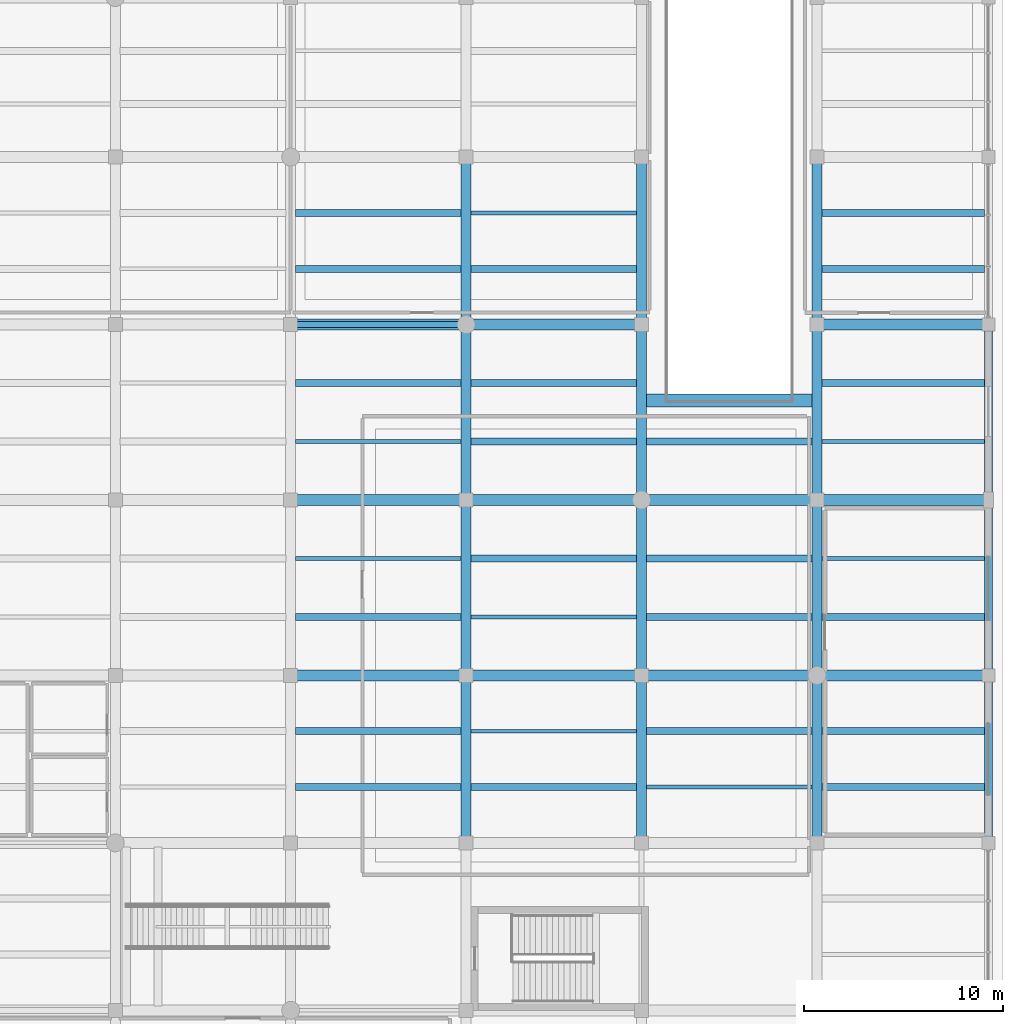
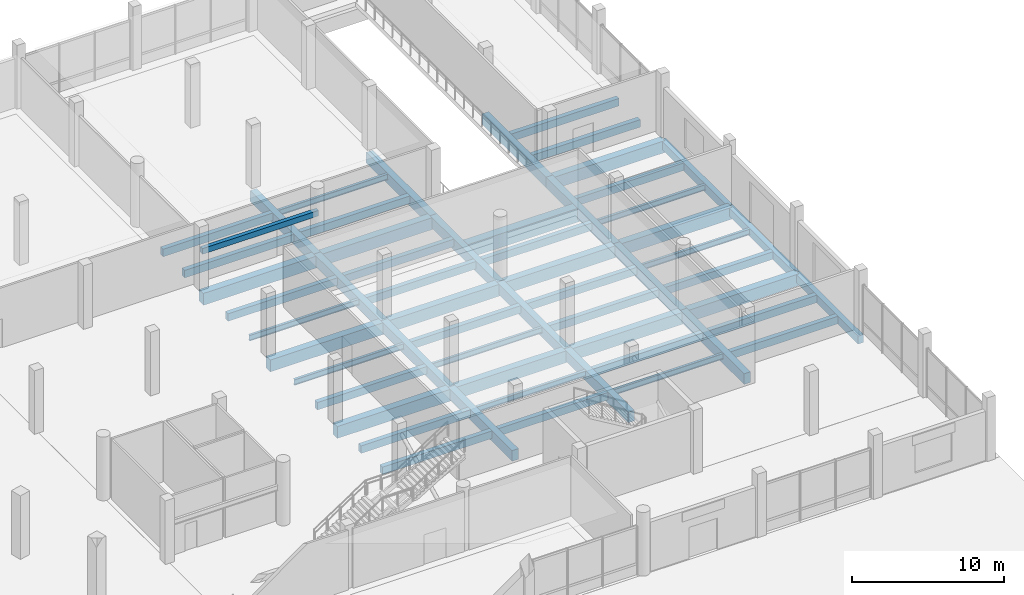
# One storey, part 47 of 73: 57 beams.
"""IFC4 building model written with IfcOpenShell, lengths in metres."""

from ifc_helpers import new_model, si_unit, direction, frame, origin, origin_2d, place, context, subcontext, project, spatial, rectangle, i_section, extrude, material, material_profile, profile_set, type_object, element, save


model = new_model("IFC4")

# Units and contexts
model_context = context("Model", 3, precision=1e-05, world=origin(), true_north=direction((0.0, 1.0)))
body_context = subcontext(model_context, "Body", "Model", "MODEL_VIEW")
ifc_project = project(units=[si_unit("LENGTHUNIT", "METRE"), si_unit("AREAUNIT", "SQUARE_METRE"), si_unit("VOLUMEUNIT", "CUBIC_METRE"), si_unit("PLANEANGLEUNIT", "RADIAN"), si_unit("MASSUNIT", "GRAM", prefix="KILO")], contexts=[model_context])

# Site, building, storey
site_placement = place(None, origin())
site = spatial("IfcSite", under=ifc_project, at=site_placement, CompositionType="ELEMENT")
building_placement = place(site_placement, origin())
building = spatial("IfcBuilding", under=site, at=building_placement, Name="Meriwether Solvik Hall", CompositionType="ELEMENT")
storey_placement = place(building_placement, origin())
storey = spatial("IfcBuildingStorey", under=building, at=storey_placement, Name="L00", CompositionType="ELEMENT", Elevation=0.0)

# Beams
ifc_material_1 = material(Name="Concrete C40/50", Category="concrete")
ifc_material_profile_1 = material_profile(ifc_material_1, rectangle(XDim=0.300048828125, YDim=0.449951171875, at=origin_2d()), Name="RCB-300X450")
ifc_profile_set_1 = profile_set([ifc_material_profile_1], Name="Concrete C40/50")
beam_type_1 = type_object("IfcBeamType", Name="BM-RC-300X450", PredefinedType="LINTEL", material=ifc_profile_set_1)
beam_1_placement = place(storey_placement, frame((131.800048828125, 92.800048828125, 2.925048828125), z_axis=(1.0, 0.0, 0.0), x_axis=(0.0, 1.0, 0.0)))
element("IfcBeam", 1, at=beam_1_placement, inside=storey, type_object=beam_type_1, Name="Galleria Portal Lintel K:15-16 (L00)", PredefinedType="LINTEL", context=body_context, shape_type="SweptSolid", body=[
    extrude(rectangle(XDim=0.300048828125, YDim=0.449951171875, at=origin_2d()), origin(), (0.0, 0.0, 1.0), 8.800048828125),
])
ifc_material_2 = material(Name="Concrete C40/50", Category="concrete")
ifc_material_profile_2 = material_profile(ifc_material_2, rectangle(XDim=0.35009765625, YDim=0.60009765625, at=origin_2d()), Name="RCB-350X600")
ifc_profile_set_2 = profile_set([ifc_material_profile_2], Name="Concrete C40/50")
beam_type_2 = type_object("IfcBeamType", Name="BM-RC-350X600", PredefinedType="JOIST", material=ifc_profile_set_2)
for number, where, z_axis, x_axis, name in (
    (2, (132.044921875, 69.60009765625, -0.659912109375), (1.0, 0.0, 0.0), (0.0, 1.0, 0.0), "Secondary Floor Joist 15/H_J1 (L00)"),
    (3, (132.044921875, 72.39990234375, -0.659912109375), (1.0, 0.0, 0.0), (0.0, 1.0, 0.0), "Secondary Floor Joist 15/H_J2 (L00)"),
    (4, (132.044921875, 78.13330078125, -0.659912109375), (1.0, 0.0, 0.0), (0.0, 1.0, 0.0), "Secondary Floor Joist 15/I_J1 (L00)"),
    (5, (132.044921875, 89.86669921875, -0.659912109375), (1.0, 0.0, 0.0), (0.0, 1.0, 0.0), "Secondary Floor Joist 15/J_J2 (L00)"),
    (6, (132.044921875, 95.60009765625, -0.659912109375), (1.0, 0.0, 0.0), (0.0, 1.0, 0.0), "Secondary Floor Joist 15/K_J1 (L00)"),
    (7, (132.044921875, 98.39990234375, -0.659912109375), (1.0, 0.0, 0.0), (0.0, 1.0, 0.0), "Secondary Floor Joist 15/K_J2 (L00)"),
    (8, (140.844970703125, 69.60009765625, -0.659912109375), (1.0, 0.0, 0.0), (0.0, 1.0, 0.0), "Secondary Floor Joist 16/H_J1 (L00)"),
    (9, (140.844970703125, 81.066650390625, -0.659912109375), (1.0, 0.0, 0.0), (0.0, 1.0, 0.0), "Secondary Floor Joist 16/I_J2 (L00)"),
    (10, (140.844970703125, 86.933349609375, -0.659912109375), (1.0, 0.0, 0.0), (0.0, 1.0, 0.0), "Secondary Floor Joist 16/J_J1 (L00)"),
    (11, (140.844970703125, 89.86669921875, -0.659912109375), (1.0, 0.0, 0.0), (0.0, 1.0, 0.0), "Secondary Floor Joist 16/J_J2 (L00)"),
    (12, (140.844970703125, 95.60009765625, -0.659912109375), (1.0, 0.0, 0.0), (0.0, 1.0, 0.0), "Secondary Floor Joist 16/K_J1 (L00)"),
    (13, (149.64501953125, 72.39990234375, -0.659912109375), (1.0, 0.0, 0.0), (0.0, 1.0, 0.0), "Secondary Floor Joist 17/H_J2 (L00)"),
    (14, (149.64501953125, 78.13330078125, -0.659912109375), (1.0, 0.0, 0.0), (0.0, 1.0, 0.0), "Secondary Floor Joist 17/I_J1 (L00)"),
    (15, (149.64501953125, 81.066650390625, -0.659912109375), (1.0, 0.0, 0.0), (0.0, 1.0, 0.0), "Secondary Floor Joist 17/I_J2 (L00)"),
    (16, (149.64501953125, 86.933349609375, -0.659912109375), (1.0, 0.0, 0.0), (0.0, 1.0, 0.0), "Secondary Floor Joist 17/J_J1 (L00)"),
):
    element("IfcBeam", number, at=place(storey_placement, frame(where, z_axis=z_axis, x_axis=x_axis)), inside=storey, type_object=beam_type_2, Name=name, PredefinedType="JOIST", context=body_context, shape_type="SweptSolid", body=[
        extrude(rectangle(XDim=0.35009765625, YDim=0.60009765625, at=origin_2d()), origin(), (0.0, 0.0, 1.0), 8.31005859375),
    ])
for number, where, z_axis, x_axis, name in (
    (17, (158.445068359375, 69.60009765625, -0.659912109375), (1.0, 0.0, 0.0), (0.0, 1.0, 0.0), "Secondary Floor Joist 18/H_J1 (L00)"),
    (18, (158.445068359375, 72.39990234375, -0.659912109375), (1.0, 0.0, 0.0), (0.0, 1.0, 0.0), "Secondary Floor Joist 18/H_J2 (L00)"),
    (19, (158.445068359375, 78.13330078125, -0.659912109375), (1.0, 0.0, 0.0), (0.0, 1.0, 0.0), "Secondary Floor Joist 18/I_J1 (L00)"),
    (20, (158.445068359375, 89.86669921875, -0.659912109375), (1.0, 0.0, 0.0), (0.0, 1.0, 0.0), "Secondary Floor Joist 18/J_J2 (L00)"),
    (21, (158.445068359375, 95.60009765625, -0.659912109375), (1.0, 0.0, 0.0), (0.0, 1.0, 0.0), "Secondary Floor Joist 18/K_J1 (L00)"),
    (22, (158.445068359375, 98.39990234375, -0.659912109375), (1.0, 0.0, 0.0), (0.0, 1.0, 0.0), "Secondary Floor Joist 18/K_J2 (L00)"),
):
    element("IfcBeam", number, at=place(storey_placement, frame(where, z_axis=z_axis, x_axis=x_axis)), inside=storey, type_object=beam_type_2, Name=name, PredefinedType="JOIST", context=body_context, shape_type="SweptSolid", body=[
        extrude(rectangle(XDim=0.35009765625, YDim=0.60009765625, at=origin_2d()), origin(), (0.0, 0.0, 1.0), 8.159912109375),
    ])
ifc_material_3 = material(Name="Concrete C40/50", Category="concrete")
ifc_material_profile_3 = material_profile(ifc_material_3, rectangle(XDim=0.39990234375, YDim=0.64990234375, at=origin_2d()), Name="RCB-400X650")
ifc_profile_set_3 = profile_set([ifc_material_profile_3], Name="Concrete C40/50")
beam_type_3 = type_object("IfcBeamType", Name="BM-RC-400X650", PredefinedType="SPANDREL", material=ifc_profile_set_3)
beam_2_placement = place(storey_placement, frame((166.800048828125, 66.800048828125, -0.68505859375), z_axis=(0.0, 1.0, 0.0), x_axis=(-1.0, 0.0, 0.0)))
element("IfcBeam", 23, at=beam_2_placement, inside=storey, type_object=beam_type_3, Name="Podium Girder 19:H-I (L00)", PredefinedType="SPANDREL", context=body_context, shape_type="SweptSolid", body=[
    extrude(rectangle(XDim=0.39990234375, YDim=0.64990234375, at=origin_2d()), origin(), (0.0, 0.0, 1.0), 8.39990234375),
])
for number, where, z_axis, x_axis, name in (
    (24, (166.800048828125, 75.199951171875, -0.68505859375), (0.0, 1.0, 0.0), (-1.0, 0.0, 0.0), "Podium Girder 19:I-J (L00)"),
    (25, (166.800048828125, 84.0, -0.68505859375), (0.0, 1.0, 0.0), (-1.0, 0.0, 0.0), "Podium Girder 19:J-K (L00)"),
):
    element("IfcBeam", number, at=place(storey_placement, frame(where, z_axis=z_axis, x_axis=x_axis)), inside=storey, type_object=beam_type_3, Name=name, PredefinedType="SPANDREL", context=body_context, shape_type="SweptSolid", body=[
        extrude(rectangle(XDim=0.39990234375, YDim=0.64990234375, at=origin_2d()), origin(), (0.0, 0.0, 1.0), 8.800048828125),
    ])
ifc_material_4 = material(Name="Concrete C40/50", Category="concrete")
ifc_material_profile_4 = material_profile(ifc_material_4, rectangle(XDim=0.5, YDim=0.85009765625, at=origin_2d()), Name="RCB-500X850")
ifc_profile_set_4 = profile_set([ifc_material_profile_4], Name="Concrete C40/50")
beam_type_4 = type_object("IfcBeamType", Name="BM-RC-500X850", PredefinedType="BEAM", material=ifc_profile_set_4)
beam_3_placement = place(storey_placement, frame((140.60009765625, 66.800048828125, -0.784912109375), z_axis=(0.0, 1.0, 0.0), x_axis=(-1.0, 0.0, 0.0)))
element("IfcBeam", 26, at=beam_3_placement, inside=storey, type_object=beam_type_4, Name="Podium Girder 16:H-I (L00)", PredefinedType="BEAM", context=body_context, shape_type="SweptSolid", body=[
    extrude(rectangle(XDim=0.5, YDim=0.85009765625, at=origin_2d()), origin(), (0.0, 0.0, 1.0), 8.39990234375),
])
for number, where, z_axis, x_axis, name in (
    (27, (140.60009765625, 75.199951171875, -0.784912109375), (0.0, 1.0, 0.0), (-1.0, 0.0, 0.0), "Podium Girder 16:I-J (L00)"),
    (28, (140.60009765625, 84.0, -0.784912109375), (0.0, 1.0, 0.0), (-1.0, 0.0, 0.0), "Podium Girder 16:J-K (L00)"),
):
    element("IfcBeam", number, at=place(storey_placement, frame(where, z_axis=z_axis, x_axis=x_axis)), inside=storey, type_object=beam_type_4, Name=name, PredefinedType="BEAM", context=body_context, shape_type="SweptSolid", body=[
        extrude(rectangle(XDim=0.5, YDim=0.85009765625, at=origin_2d()), origin(), (0.0, 0.0, 1.0), 8.800048828125),
    ])
for number, where, z_axis, x_axis, name in (
    (29, (140.60009765625, 92.800048828125, -0.784912109375), (0.0, 1.0, 0.0), (-1.0, 0.0, 0.0), "Podium Girder 16:K-L (L00)"),
    (30, (149.39990234375, 66.800048828125, -0.784912109375), (0.0, 1.0, 0.0), (-1.0, 0.0, 0.0), "Podium Girder 17:H-I (L00)"),
):
    element("IfcBeam", number, at=place(storey_placement, frame(where, z_axis=z_axis, x_axis=x_axis)), inside=storey, type_object=beam_type_4, Name=name, PredefinedType="BEAM", context=body_context, shape_type="SweptSolid", body=[
        extrude(rectangle(XDim=0.5, YDim=0.85009765625, at=origin_2d()), origin(), (0.0, 0.0, 1.0), 8.39990234375),
    ])
for number, where, z_axis, x_axis, name in (
    (31, (149.39990234375, 75.199951171875, -0.784912109375), (0.0, 1.0, 0.0), (-1.0, 0.0, 0.0), "Podium Girder 17:I-J (L00)"),
    (32, (149.39990234375, 84.0, -0.784912109375), (0.0, 1.0, 0.0), (-1.0, 0.0, 0.0), "Podium Girder 17:J-K (L00)"),
):
    element("IfcBeam", number, at=place(storey_placement, frame(where, z_axis=z_axis, x_axis=x_axis)), inside=storey, type_object=beam_type_4, Name=name, PredefinedType="BEAM", context=body_context, shape_type="SweptSolid", body=[
        extrude(rectangle(XDim=0.5, YDim=0.85009765625, at=origin_2d()), origin(), (0.0, 0.0, 1.0), 8.800048828125),
    ])
for number, where, z_axis, x_axis, name in (
    (33, (149.39990234375, 92.800048828125, -0.784912109375), (0.0, 1.0, 0.0), (-1.0, 0.0, 0.0), "Podium Girder 17:K-L (L00)"),
    (34, (158.199951171875, 66.800048828125, -0.784912109375), (0.0, 1.0, 0.0), (-1.0, 0.0, 0.0), "Podium Girder 18:H-I (L00)"),
):
    element("IfcBeam", number, at=place(storey_placement, frame(where, z_axis=z_axis, x_axis=x_axis)), inside=storey, type_object=beam_type_4, Name=name, PredefinedType="BEAM", context=body_context, shape_type="SweptSolid", body=[
        extrude(rectangle(XDim=0.5, YDim=0.85009765625, at=origin_2d()), origin(), (0.0, 0.0, 1.0), 8.39990234375),
    ])
for number, where, z_axis, x_axis, name in (
    (35, (158.199951171875, 75.199951171875, -0.784912109375), (0.0, 1.0, 0.0), (-1.0, 0.0, 0.0), "Podium Girder 18:I-J (L00)"),
    (36, (158.199951171875, 84.0, -0.784912109375), (0.0, 1.0, 0.0), (-1.0, 0.0, 0.0), "Podium Girder 18:J-K (L00)"),
):
    element("IfcBeam", number, at=place(storey_placement, frame(where, z_axis=z_axis, x_axis=x_axis)), inside=storey, type_object=beam_type_4, Name=name, PredefinedType="BEAM", context=body_context, shape_type="SweptSolid", body=[
        extrude(rectangle(XDim=0.5, YDim=0.85009765625, at=origin_2d()), origin(), (0.0, 0.0, 1.0), 8.800048828125),
    ])
beam_4_placement = place(storey_placement, frame((158.199951171875, 92.800048828125, -0.784912109375), z_axis=(0.0, 1.0, 0.0), x_axis=(-1.0, 0.0, 0.0)))
element("IfcBeam", 37, at=beam_4_placement, inside=storey, type_object=beam_type_4, Name="Podium Girder 18:K-L (L00)", PredefinedType="BEAM", context=body_context, shape_type="SweptSolid", body=[
    extrude(rectangle(XDim=0.5, YDim=0.85009765625, at=origin_2d()), origin(), (0.0, 0.0, 1.0), 8.39990234375),
])
ifc_material_5 = material(Name="Concrete C40/50", Category="concrete")
ifc_material_profile_5 = material_profile(ifc_material_5, rectangle(XDim=0.550048828125, YDim=0.949951171875, at=origin_2d()), Name="RCB-550X950")
ifc_profile_set_5 = profile_set([ifc_material_profile_5], Name="Concrete C40/50")
beam_type_5 = type_object("IfcBeamType", Name="BM-RC-550X950", PredefinedType="BEAM", material=ifc_profile_set_5)
beam_5_placement = place(storey_placement, frame((131.800048828125, 75.199951171875, -0.8349609375), z_axis=(1.0, 0.0, 0.0), x_axis=(0.0, 1.0, 0.0)))
element("IfcBeam", 38, at=beam_5_placement, inside=storey, type_object=beam_type_5, Name="Podium Girder I:15-16 (L00)", PredefinedType="BEAM", context=body_context, shape_type="SweptSolid", body=[
    extrude(rectangle(XDim=0.550048828125, YDim=0.949951171875, at=origin_2d()), origin(), (0.0, 0.0, 1.0), 8.800048828125),
])
beam_6_placement = place(storey_placement, frame((140.60009765625, 75.199951171875, -0.8349609375), z_axis=(1.0, 0.0, 0.0), x_axis=(0.0, 1.0, 0.0)))
element("IfcBeam", 39, at=beam_6_placement, inside=storey, type_object=beam_type_5, Name="Podium Girder I:16-17 (L00)", PredefinedType="BEAM", context=body_context, shape_type="SweptSolid", body=[
    extrude(rectangle(XDim=0.550048828125, YDim=0.949951171875, at=origin_2d()), origin(), (0.0, 0.0, 1.0), 8.7998046875),
])
beam_7_placement = place(storey_placement, frame((149.39990234375, 75.199951171875, -0.8349609375), z_axis=(1.0, 0.0, 0.0), x_axis=(0.0, 1.0, 0.0)))
element("IfcBeam", 40, at=beam_7_placement, inside=storey, type_object=beam_type_5, Name="Podium Girder I:17-18 (L00)", PredefinedType="BEAM", context=body_context, shape_type="SweptSolid", body=[
    extrude(rectangle(XDim=0.550048828125, YDim=0.949951171875, at=origin_2d()), origin(), (0.0, 0.0, 1.0), 8.800048828125),
])
beam_8_placement = place(storey_placement, frame((158.199951171875, 75.199951171875, -0.8349609375), z_axis=(1.0, 0.0, 0.0), x_axis=(0.0, 1.0, 0.0)))
element("IfcBeam", 41, at=beam_8_placement, inside=storey, type_object=beam_type_5, Name="Podium Girder I:18-19 (L00)", PredefinedType="BEAM", context=body_context, shape_type="SweptSolid", body=[
    extrude(rectangle(XDim=0.550048828125, YDim=0.949951171875, at=origin_2d()), origin(), (0.0, 0.0, 1.0), 8.60009765625),
])
beam_9_placement = place(storey_placement, frame((131.800048828125, 84.0, -0.8349609375), z_axis=(1.0, 0.0, 0.0), x_axis=(0.0, 1.0, 0.0)))
element("IfcBeam", 42, at=beam_9_placement, inside=storey, type_object=beam_type_5, Name="Podium Girder J:15-16 (L00)", PredefinedType="BEAM", context=body_context, shape_type="SweptSolid", body=[
    extrude(rectangle(XDim=0.550048828125, YDim=0.949951171875, at=origin_2d()), origin(), (0.0, 0.0, 1.0), 8.800048828125),
])
beam_10_placement = place(storey_placement, frame((140.60009765625, 84.0, -0.8349609375), z_axis=(1.0, 0.0, 0.0), x_axis=(0.0, 1.0, 0.0)))
element("IfcBeam", 43, at=beam_10_placement, inside=storey, type_object=beam_type_5, Name="Podium Girder J:16-17 (L00)", PredefinedType="BEAM", context=body_context, shape_type="SweptSolid", body=[
    extrude(rectangle(XDim=0.550048828125, YDim=0.949951171875, at=origin_2d()), origin(), (0.0, 0.0, 1.0), 8.7998046875),
])
beam_11_placement = place(storey_placement, frame((149.39990234375, 84.0, -0.8349609375), z_axis=(1.0, 0.0, 0.0), x_axis=(0.0, 1.0, 0.0)))
element("IfcBeam", 44, at=beam_11_placement, inside=storey, type_object=beam_type_5, Name="Podium Girder J:17-18 (L00)", PredefinedType="BEAM", context=body_context, shape_type="SweptSolid", body=[
    extrude(rectangle(XDim=0.550048828125, YDim=0.949951171875, at=origin_2d()), origin(), (0.0, 0.0, 1.0), 8.800048828125),
])
beam_12_placement = place(storey_placement, frame((158.199951171875, 84.0, -0.8349609375), z_axis=(1.0, 0.0, 0.0), x_axis=(0.0, 1.0, 0.0)))
element("IfcBeam", 45, at=beam_12_placement, inside=storey, type_object=beam_type_5, Name="Podium Girder J:18-19 (L00)", PredefinedType="BEAM", context=body_context, shape_type="SweptSolid", body=[
    extrude(rectangle(XDim=0.550048828125, YDim=0.949951171875, at=origin_2d()), origin(), (0.0, 0.0, 1.0), 8.60009765625),
])
beam_13_placement = place(storey_placement, frame((131.800048828125, 92.800048828125, -0.8349609375), z_axis=(1.0, 0.0, 0.0), x_axis=(0.0, 1.0, 0.0)))
element("IfcBeam", 46, at=beam_13_placement, inside=storey, type_object=beam_type_5, Name="Podium Girder K:15-16 (L00)", PredefinedType="BEAM", context=body_context, shape_type="SweptSolid", body=[
    extrude(rectangle(XDim=0.550048828125, YDim=0.949951171875, at=origin_2d()), origin(), (0.0, 0.0, 1.0), 8.800048828125),
])
beam_14_placement = place(storey_placement, frame((140.60009765625, 92.800048828125, -0.8349609375), z_axis=(1.0, 0.0, 0.0), x_axis=(0.0, 1.0, 0.0)))
element("IfcBeam", 47, at=beam_14_placement, inside=storey, type_object=beam_type_5, Name="Podium Girder K:16-17 (L00)", PredefinedType="BEAM", context=body_context, shape_type="SweptSolid", body=[
    extrude(rectangle(XDim=0.550048828125, YDim=0.949951171875, at=origin_2d()), origin(), (0.0, 0.0, 1.0), 8.7998046875),
])
beam_15_placement = place(storey_placement, frame((158.199951171875, 92.800048828125, -0.8349609375), z_axis=(1.0, 0.0, 0.0), x_axis=(0.0, 1.0, 0.0)))
element("IfcBeam", 48, at=beam_15_placement, inside=storey, type_object=beam_type_5, Name="Podium Girder K:18-19 (L00)", PredefinedType="BEAM", context=body_context, shape_type="SweptSolid", body=[
    extrude(rectangle(XDim=0.550048828125, YDim=0.949951171875, at=origin_2d()), origin(), (0.0, 0.0, 1.0), 8.60009765625),
])
ifc_material_6 = material(Name="Concrete C40/50", Category="concrete")
ifc_material_profile_6 = material_profile(ifc_material_6, rectangle(XDim=0.64990234375, YDim=1.10009765625, at=origin_2d()), Name="RCB-650X1100")
ifc_profile_set_6 = profile_set([ifc_material_profile_6], Name="Concrete C40/50")
beam_type_6 = type_object("IfcBeamType", Name="BM-RMP-RC-650X1100", PredefinedType="BEAM", material=ifc_profile_set_6)
beam_16_placement = place(storey_placement, frame((149.39990234375, 89.0, -0.909912109375), z_axis=(1.0, 0.0, 0.0), x_axis=(0.0, 1.0, 0.0)))
element("IfcBeam", 49, at=beam_16_placement, inside=storey, type_object=beam_type_6, Name="Vehicle Ramp Header Girder (L00)", PredefinedType="BEAM", context=body_context, shape_type="SweptSolid", body=[
    extrude(rectangle(XDim=0.64990234375, YDim=1.10009765625, at=origin_2d()), origin(), (0.0, 0.0, 1.0), 8.800048828125),
])
ifc_material_7 = material(Name="Steel A992 Grade 50", Category="steel")
ifc_material_profile_7 = material_profile(ifc_material_7, i_section(OverallWidth=0.19091796875, OverallDepth=0.45703125, WebThickness=0.009033203125, FlangeThickness=0.014404296875, at=origin_2d()), Name="W18X50")
ifc_profile_set_7 = profile_set([ifc_material_profile_7], Name="Steel A992 Grade 50")
beam_type_7 = type_object("IfcBeamType", Name="BM-STL-W18X50", PredefinedType="JOIST", material=ifc_profile_set_7)
for number, where, z_axis, x_axis, name in (
    (50, (132.044921875, 81.066650390625, -0.58837890625), (1.0, 0.0, 0.0), (0.0, 1.0, 0.0), "Secondary Floor Joist 15/I_J2 (L00)"),
    (51, (132.044921875, 86.933349609375, -0.58837890625), (1.0, 0.0, 0.0), (0.0, 1.0, 0.0), "Secondary Floor Joist 15/J_J1 (L00)"),
    (52, (140.844970703125, 72.39990234375, -0.58837890625), (1.0, 0.0, 0.0), (0.0, 1.0, 0.0), "Secondary Floor Joist 16/H_J2 (L00)"),
    (53, (140.844970703125, 78.13330078125, -0.58837890625), (1.0, 0.0, 0.0), (0.0, 1.0, 0.0), "Secondary Floor Joist 16/I_J1 (L00)"),
    (54, (140.844970703125, 98.39990234375, -0.58837890625), (1.0, 0.0, 0.0), (0.0, 1.0, 0.0), "Secondary Floor Joist 16/K_J2 (L00)"),
    (55, (149.64501953125, 69.60009765625, -0.58837890625), (1.0, 0.0, 0.0), (0.0, 1.0, 0.0), "Secondary Floor Joist 17/H_J1 (L00)"),
):
    element("IfcBeam", number, at=place(storey_placement, frame(where, z_axis=z_axis, x_axis=x_axis)), inside=storey, type_object=beam_type_7, Name=name, PredefinedType="JOIST", context=body_context, shape_type="SweptSolid", body=[
        extrude(i_section(OverallWidth=0.19091796875, OverallDepth=0.45703125, WebThickness=0.009033203125, FlangeThickness=0.014404296875, at=origin_2d()), origin(), (0.0, 0.0, 1.0), 8.31005859375),
    ])
for number, where, z_axis, x_axis, name in (
    (56, (158.445068359375, 81.066650390625, -0.58837890625), (1.0, 0.0, 0.0), (0.0, 1.0, 0.0), "Secondary Floor Joist 18/I_J2 (L00)"),
    (57, (158.445068359375, 86.933349609375, -0.58837890625), (1.0, 0.0, 0.0), (0.0, 1.0, 0.0), "Secondary Floor Joist 18/J_J1 (L00)"),
):
    element("IfcBeam", number, at=place(storey_placement, frame(where, z_axis=z_axis, x_axis=x_axis)), inside=storey, type_object=beam_type_7, Name=name, PredefinedType="JOIST", context=body_context, shape_type="SweptSolid", body=[
        extrude(i_section(OverallWidth=0.19091796875, OverallDepth=0.45703125, WebThickness=0.009033203125, FlangeThickness=0.014404296875, at=origin_2d()), origin(), (0.0, 0.0, 1.0), 8.159912109375),
    ])

save(model, "model.ifc")
